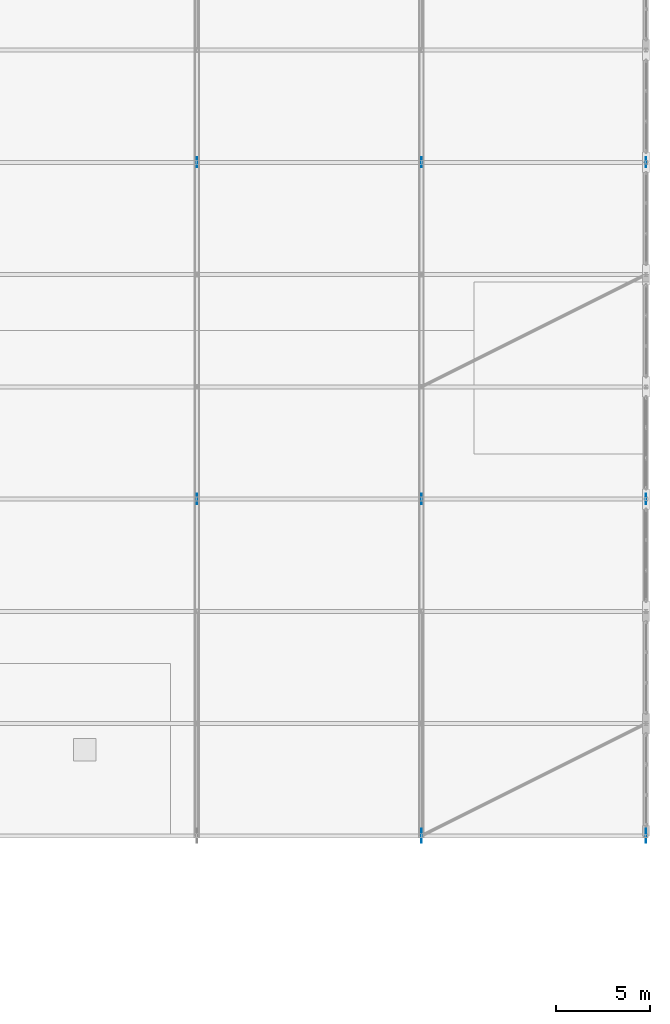
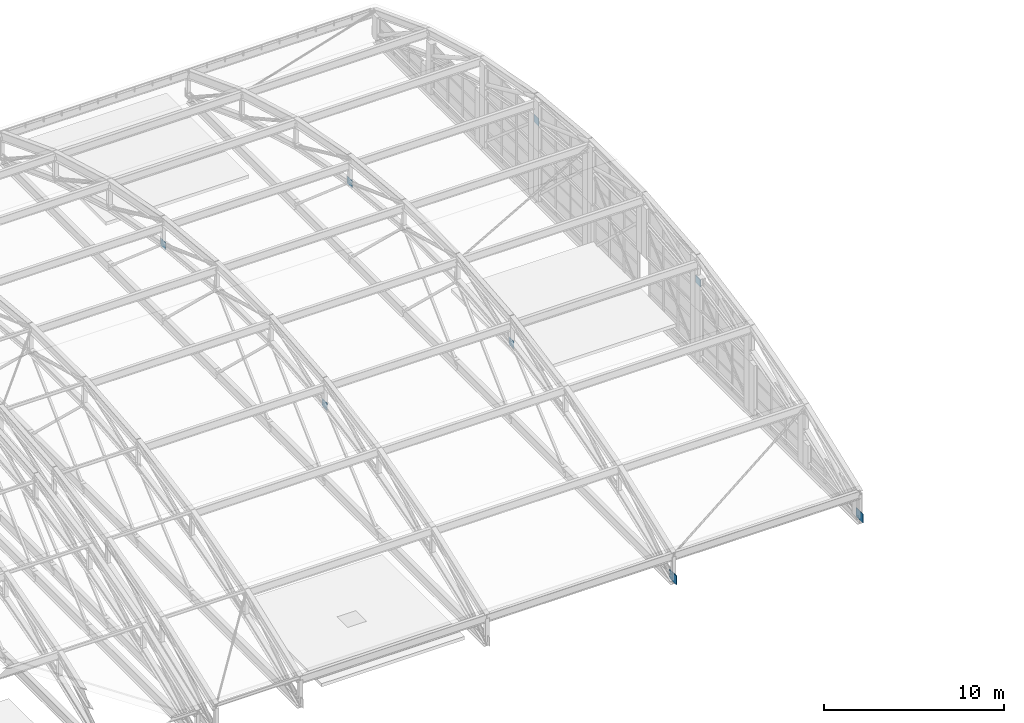
# One storey, part 189 of 204: 8 plates.
"""IFC4 building model written with IfcOpenShell, lengths in metres."""

from ifc_helpers import new_model, si_unit, direction, frame, origin, origin_2d, place, context, subcontext, project, spatial, rectangle, extrude, material, layer, layer_set, type_object, element, save


model = new_model("IFC4")

# Units and contexts
model_context = context("Model", 3, precision=1e-05, world=origin(), true_north=direction((0.0, 1.0)))
body_context = subcontext(model_context, "Body", "Model", "MODEL_VIEW")
ifc_project = project(units=[si_unit("LENGTHUNIT", "METRE"), si_unit("AREAUNIT", "SQUARE_METRE"), si_unit("VOLUMEUNIT", "CUBIC_METRE"), si_unit("PLANEANGLEUNIT", "RADIAN"), si_unit("MASSUNIT", "GRAM", prefix="KILO")], contexts=[model_context])

# Site, building, storey
site_placement = place(None, origin())
site = spatial("IfcSite", under=ifc_project, at=site_placement, CompositionType="ELEMENT")
building_placement = place(site_placement, origin())
building = spatial("IfcBuilding", under=site, at=building_placement, Name="Zilviju Railside Exhibition Hall", CompositionType="ELEMENT")
storey_placement = place(building_placement, frame((0.0, 0.0, 21.0)))
storey = spatial("IfcBuildingStorey", under=building, at=storey_placement, Name="RF", CompositionType="ELEMENT", Elevation=21.0)

# Plates
ifc_material = material(Name="Steel S355ML", Category="steel")
ifc_layer_1 = layer(ifc_material, 0.02392578125)
ifc_layer_set_1 = layer_set([ifc_layer_1], Name="Steel S355ML")
plate_type_1 = type_object("IfcPlateType", Name="PLATE-GP-24", PredefinedType="SHEET", material=ifc_layer_set_1)
for number, where, z_axis, x_axis, name in (
    (1, (192.0, 102.0, 1.3056640625), (0.0, 0.0, 1.0), (1.0, 0.0, 0.0), "V2 Truss Node Gusset Plate X=192.0 N3"),
    (2, (204.0, 102.0, 1.3056640625), (0.0, 0.0, 1.0), (1.0, 0.0, 0.0), "V2 Truss Node Gusset Plate X=204.0 N3"),
    (3, (216.0, 102.0, 1.3056640625), (0.0, 0.0, 1.0), (1.0, 0.0, 0.0), "V2 Truss Node Gusset Plate X=216.0 N3"),
):
    element("IfcPlate", number, at=place(storey_placement, frame(where, z_axis=z_axis, x_axis=x_axis)), inside=storey, type_object=plate_type_1, Name=name, PredefinedType="SHEET", context=body_context, shape_type="SweptSolid", body=[
        extrude(rectangle(XDim=0.02392578125, YDim=0.550048828125, at=origin_2d()), origin(), (0.0, 0.0, 1.0), 0.5),
    ])
ifc_layer_2 = layer(ifc_material, 0.028076171875)
ifc_layer_set_2 = layer_set([ifc_layer_2], Name="Steel S355ML")
plate_type_2 = type_object("IfcPlateType", Name="PLATE-GP-28", PredefinedType="SHEET", material=ifc_layer_set_2)
for number, where, z_axis, x_axis, name in (
    (4, (192.0, 120.0, 1.3056640625), (0.0, 0.0, 1.0), (1.0, 0.0, 0.0), "V2 Truss Node Gusset Plate X=192.0 N6"),
    (5, (204.0, 120.0, 1.3056640625), (0.0, 0.0, 1.0), (1.0, 0.0, 0.0), "V2 Truss Node Gusset Plate X=204.0 N6"),
    (6, (216.0, 120.0, 1.3056640625), (0.0, 0.0, 1.0), (1.0, 0.0, 0.0), "V2 Truss Node Gusset Plate X=216.0 N6"),
):
    element("IfcPlate", number, at=place(storey_placement, frame(where, z_axis=z_axis, x_axis=x_axis)), inside=storey, type_object=plate_type_2, Name=name, PredefinedType="SHEET", context=body_context, shape_type="SweptSolid", body=[
        extrude(rectangle(XDim=0.028076171875, YDim=0.550048828125, at=origin_2d()), origin(), (0.0, 0.0, 1.0), 0.5),
    ])
ifc_layer_3 = layer(ifc_material, 0.034912109375)
ifc_layer_set_3 = layer_set([ifc_layer_3], Name="Steel S355ML")
plate_type_3 = type_object("IfcPlateType", Name="PLATE-GP-35", PredefinedType="SHEET", material=ifc_layer_set_3)
for number, where, z_axis, x_axis, name in (
    (7, (204.0, 84.0, -3.75), (0.0, 0.0, 1.0), (1.0, 0.0, 0.0), "V2 Arch Pin-Shoe Gusset Plate X=204.0"),
    (8, (216.0, 84.0, -3.75), (0.0, 0.0, 1.0), (1.0, 0.0, 0.0), "V2 Arch Pin-Shoe Gusset Plate X=216.0"),
):
    element("IfcPlate", number, at=place(storey_placement, frame(where, z_axis=z_axis, x_axis=x_axis)), inside=storey, type_object=plate_type_3, Name=name, PredefinedType="SHEET", context=body_context, shape_type="SweptSolid", body=[
        extrude(rectangle(XDim=0.034912109375, YDim=0.75, at=origin_2d()), origin(), (0.0, 0.0, 1.0), 0.60009765625),
    ])

save(model, "model.ifc")
